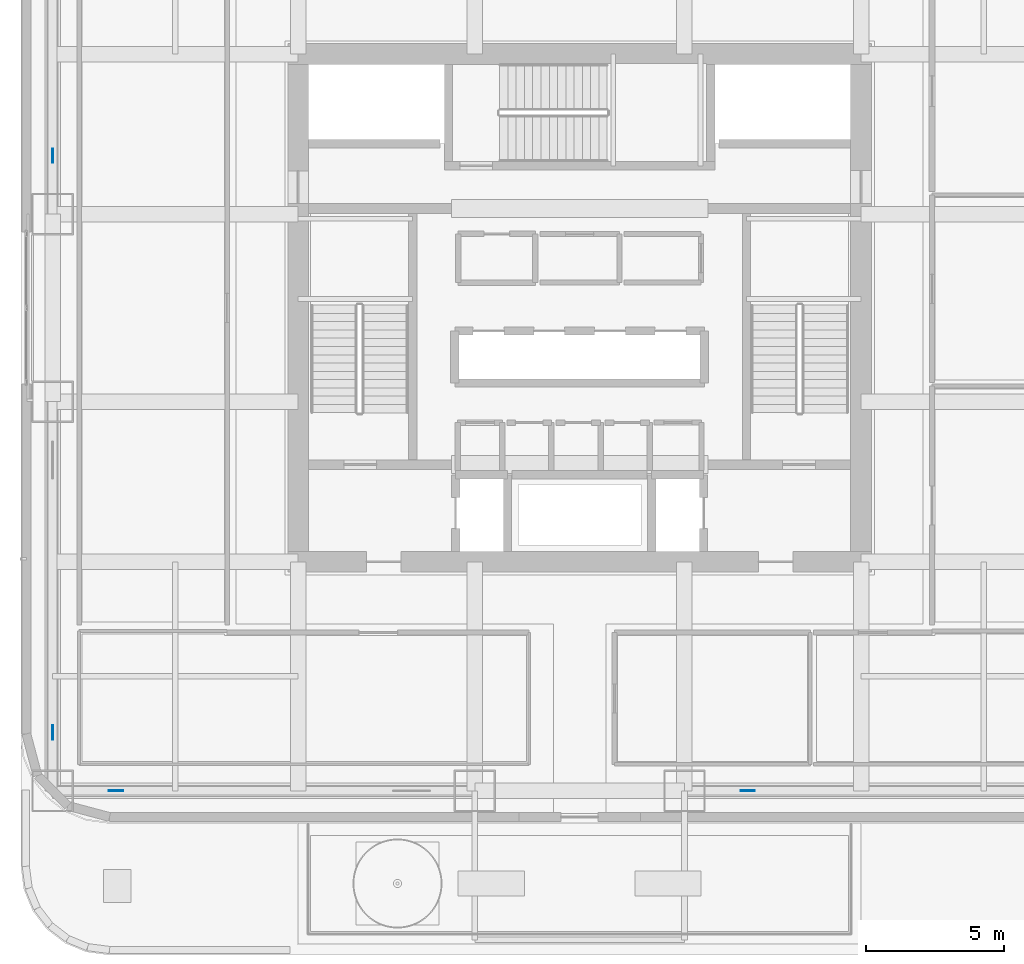
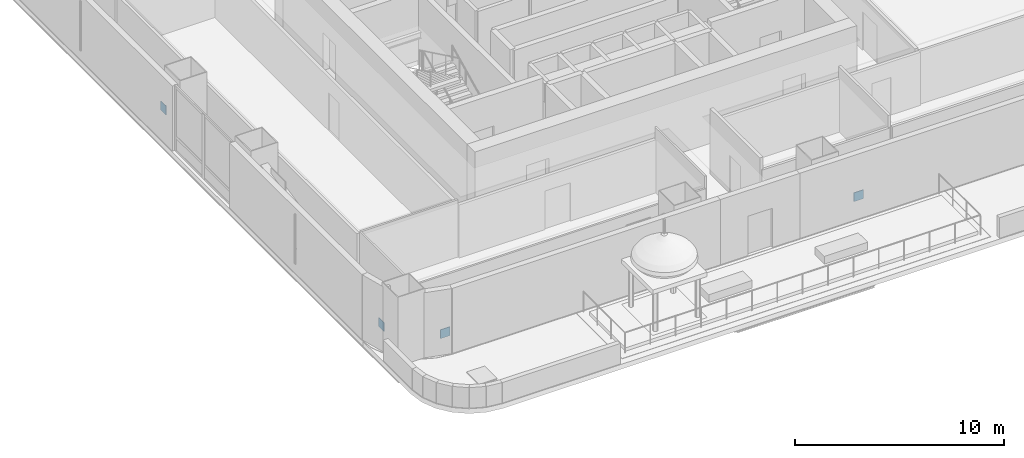
# One storey, part 8 of 28: 4 plates.
"""IFC4 building model written with IfcOpenShell, lengths in metres."""

from ifc_helpers import new_model, si_unit, direction, frame, origin, origin_2d, place, context, subcontext, project, spatial, rectangle, extrude, material, layer, layer_set, type_object, element, save


model = new_model("IFC4")

# Units and contexts
model_context = context("Model", 3, precision=1e-05, world=origin(), true_north=direction((0.0, 1.0)))
body_context = subcontext(model_context, "Body", "Model", "MODEL_VIEW")
ifc_project = project(units=[si_unit("LENGTHUNIT", "METRE"), si_unit("AREAUNIT", "SQUARE_METRE"), si_unit("VOLUMEUNIT", "CUBIC_METRE"), si_unit("PLANEANGLEUNIT", "RADIAN"), si_unit("MASSUNIT", "GRAM", prefix="KILO")], contexts=[model_context])

# Site, building, storey
site_placement = place(None, origin())
site = spatial("IfcSite", under=ifc_project, at=site_placement, CompositionType="ELEMENT")
building_placement = place(site_placement, origin())
building = spatial("IfcBuilding", under=site, at=building_placement, Name="Punatoya Terracotta Tower", CompositionType="ELEMENT")
storey_placement = place(building_placement, frame((0.0, 0.0, 93.0)))
storey = spatial("IfcBuildingStorey", under=building, at=storey_placement, Name="L21", CompositionType="ELEMENT", Elevation=93.0)

# Plates
ifc_material = material(Name="Steel S460", Category="steel")
ifc_layer = layer(ifc_material, 0.031982421875)
ifc_layer_set = layer_set([ifc_layer], Name="Steel S460")
plate_type = type_object("IfcPlateType", Name="PLT-END-32", PredefinedType="USERDEFINED", material=ifc_layer_set)
for number, where, z_axis, x_axis, name in (
    (1, (-16.804931640625, -17.5, 0.20849609375), (0.0, 0.0, 1.0), (1.0, 0.0, 0.0), "L21 Exoskeleton Base Node Plate S1"),
    (2, (6.094970703125, -17.5, 0.20849609375), (0.0, 0.0, 1.0), (1.0, 0.0, 0.0), "L21 Exoskeleton Base Node Plate S3"),
    (3, (-19.10009765625, -15.385009765625, 0.20849609375), (0.0, 0.0, 1.0), (0.0, 1.0, 0.0), "L21 Exoskeleton Base Node Plate W1"),
    (4, (-19.10009765625, 5.514892578125, 0.20849609375), (0.0, 0.0, 1.0), (0.0, 1.0, 0.0), "L21 Exoskeleton Base Node Plate W3"),
):
    element("IfcPlate", number, at=place(storey_placement, frame(where, z_axis=z_axis, x_axis=x_axis)), inside=storey, type_object=plate_type, Name=name, ObjectType="FLANGE_PLATE", PredefinedType="USERDEFINED", context=body_context, shape_type="SweptSolid", body=[
        extrude(rectangle(XDim=0.52001953125, YDim=0.031982421875, at=origin_2d()), origin(), (0.0, 0.0, 1.0), 0.52001953125),
    ])

save(model, "model.ifc")
